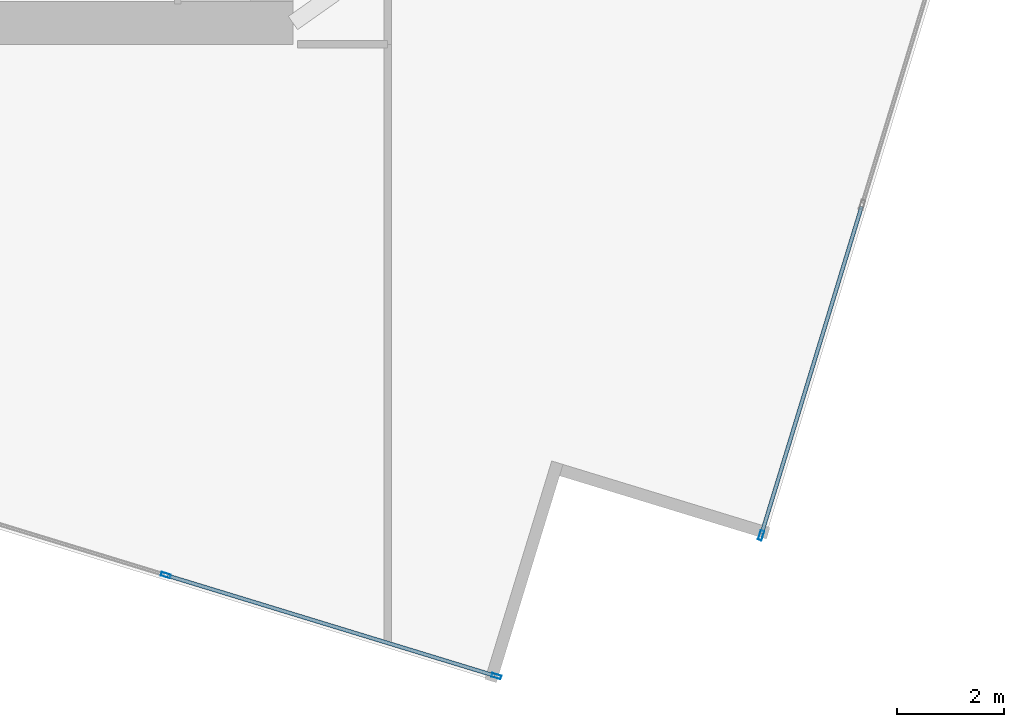
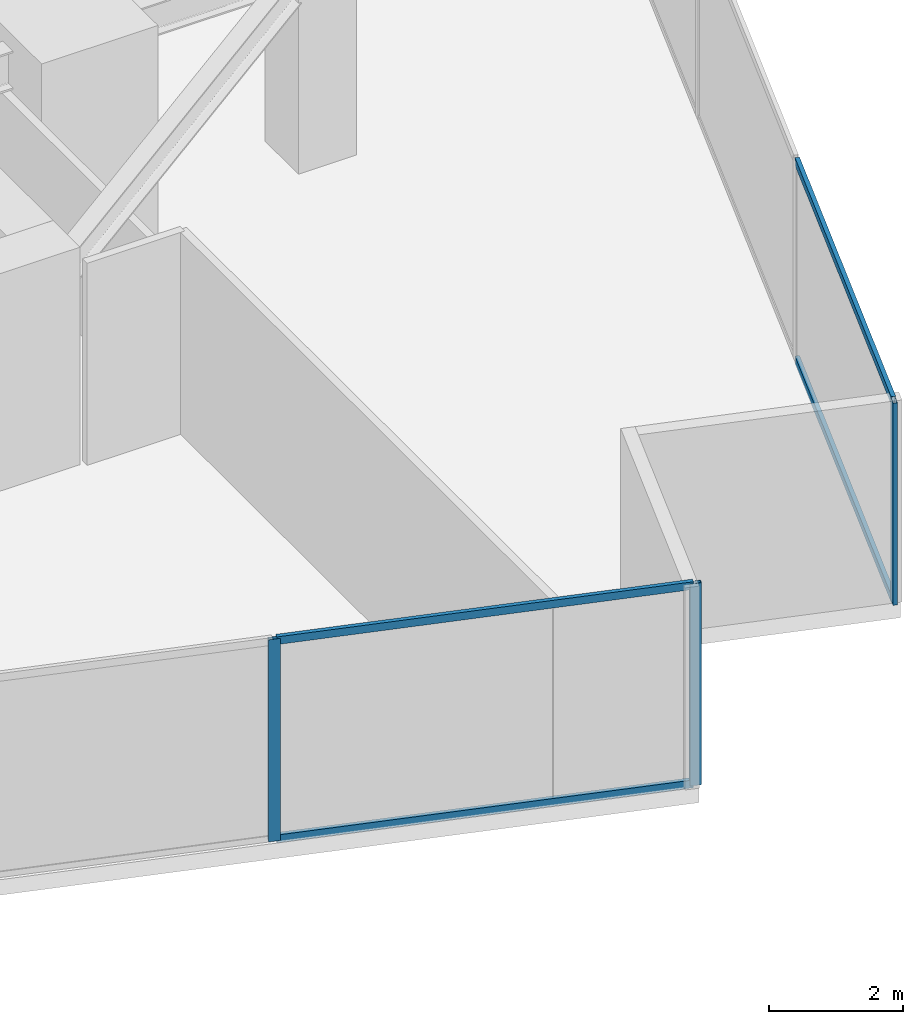
# One storey, part 9 of 26: 7 members, 2 elements without a shape of their own.
"""IFC4 building model written with IfcOpenShell, lengths in metres."""

from ifc_helpers import new_model, si_unit, direction, frame, origin, origin_2d, place, context, subcontext, project, spatial, hollow_rectangle, extrude, source, transform, mapped, material, material_profile, profile_set, type_object, type_shapes, element, aggregate, save


model = new_model("IFC4")

# Units and contexts
model_context = context("Model", 3, precision=1e-05, world=origin(), true_north=direction((0.0, 1.0)))
body_context = subcontext(model_context, "Body", "Model", "MODEL_VIEW")
ifc_project = project(units=[si_unit("LENGTHUNIT", "METRE"), si_unit("AREAUNIT", "SQUARE_METRE"), si_unit("VOLUMEUNIT", "CUBIC_METRE"), si_unit("PLANEANGLEUNIT", "RADIAN"), si_unit("MASSUNIT", "GRAM", prefix="KILO")], contexts=[model_context])

# Site, building, storey
site_placement = place(None, origin())
site = spatial("IfcSite", under=ifc_project, at=site_placement, CompositionType="ELEMENT")
building_placement = place(site_placement, origin())
building = spatial("IfcBuilding", under=site, at=building_placement, Name="Krantzveldt Concourse Tower", CompositionType="ELEMENT")
storey_placement = place(building_placement, frame((0.0, 0.0, 109.800048828125)))
storey = spatial("IfcBuildingStorey", under=building, at=storey_placement, Name="L26", CompositionType="ELEMENT", Elevation=109.800048828125)

# Curtain wall, members
ifc_material = material(Name="Anodised aluminium 6063-T6", Category="aluminium")
curtain_wall_type = type_object("IfcCurtainWallType", Name="CW2", PredefinedType="USERDEFINED", material=ifc_material)
curtain_wall_1_placement = place(storey_placement, origin())
curtain_wall_1 = element("IfcCurtainWall", 1, at=curtain_wall_1_placement, inside=storey, type_object=curtain_wall_type, Name="CW-L26-F04", ObjectType="UNITISED CURTAIN WALL", PredefinedType="USERDEFINED")
ifc_material_profile_1 = material_profile(ifc_material, hollow_rectangle(XDim=0.070068359375, YDim=0.179931640625, WallThickness=0.0048828125, at=origin_2d()), Name="Anodised aluminium 6063-T6", Category="aluminium")
ifc_profile_set_1 = profile_set([ifc_material_profile_1], Name="Anodised aluminium 6063-T6 - ALU-MULL 180x70x5")
member_type_1 = type_object("IfcMemberType", Name="CW-MUL-180", PredefinedType="MULLION", material=ifc_profile_set_1)
shared_shape_1 = source(origin(), body_context, "Body", "SweptSolid", [
    extrude(hollow_rectangle(XDim=0.070068359375, YDim=0.179931640625, WallThickness=0.0048828125, at=origin_2d()), origin(), (0.0, 0.0, 1.0), 3.669921875),
])
type_shapes(member_type_1, [shared_shape_1])
member_1_placement = place(storey_placement, frame((41.552978515625, 0.627197265625, 0.0), z_axis=(0.0, 0.0, 1.0), x_axis=(0.292371686864, 0.956304761423, 0.0)))
member_1 = element("IfcMember", 2, at=member_1_placement, type_object=member_type_1, Name="CW-Z12 mullion 6", PredefinedType="MULLION", context=body_context, shape_type="MappedRepresentation", body=[
    mapped(shared_shape_1, transform((0.0, 0.0, 0.0), x_axis=(1.0, 0.0, 0.0), y_axis=(0.0, 1.0, 0.0), z_axis=(0.0, 0.0, 1.0), scale=1.0)),
])
member_2_placement = place(storey_placement, frame((47.70361328125, -1.253173828125, 0.0), z_axis=(0.0, 0.0, 1.0), x_axis=(0.292371686864, 0.956304761423, 0.0)))
member_2 = element("IfcMember", 3, at=member_2_placement, type_object=member_type_1, Name="CW-Z12 mullion 7", PredefinedType="MULLION", context=body_context, shape_type="MappedRepresentation", body=[
    mapped(shared_shape_1, transform((0.0, 0.0, 0.0), x_axis=(1.0, 0.0, 0.0), y_axis=(0.0, 1.0, 0.0), z_axis=(0.0, 0.0, 1.0), scale=1.0)),
])

# Curtain wall, member
curtain_wall_2_placement = place(storey_placement, origin())
curtain_wall_2 = element("IfcCurtainWall", 4, at=curtain_wall_2_placement, inside=storey, type_object=curtain_wall_type, Name="CW-L26-F07", ObjectType="UNITISED CURTAIN WALL", PredefinedType="USERDEFINED")
member_3_placement = place(storey_placement, frame((52.629638671875, 1.365966796875, 0.0), z_axis=(0.0, 0.0, 1.0), x_axis=(-0.956304761423, 0.292371686864, 0.0)))
member_3 = element("IfcMember", 5, at=member_3_placement, type_object=member_type_1, Name="CW-Z12 mullion 1", PredefinedType="MULLION", context=body_context, shape_type="MappedRepresentation", body=[
    mapped(shared_shape_1, transform((0.0, 0.0, 0.0), x_axis=(1.0, 0.0, 0.0), y_axis=(0.0, 1.0, 0.0), z_axis=(0.0, 0.0, 1.0), scale=1.0)),
])

# Member
ifc_material_profile_2 = material_profile(ifc_material, hollow_rectangle(XDim=0.070068359375, YDim=0.139892578125, WallThickness=0.0048828125, at=origin_2d()), Name="Anodised aluminium 6063-T6", Category="aluminium")
ifc_profile_set_2 = profile_set([ifc_material_profile_2], Name="Anodised aluminium 6063-T6 - ALU-TRAN 140x70x5")
member_type_2 = type_object("IfcMemberType", Name="CW-TRN-150", PredefinedType="USERDEFINED", material=ifc_profile_set_2)
shared_shape_2 = source(origin(), body_context, "Body", "SweptSolid", [
    extrude(hollow_rectangle(XDim=0.070068359375, YDim=0.139892578125, WallThickness=0.0048828125, at=origin_2d()), origin(), (0.0, 0.0, 1.0), 6.361572265625),
])
member_4_placement = place(storey_placement, frame((41.58642578125, 0.616943359375, 0.034912109375), z_axis=(0.956310151395, -0.292354056476, 0.0), x_axis=(0.292354056476, 0.956310151395, 0.0)))
member_4 = element("IfcMember", 6, at=member_4_placement, type_object=member_type_2, Name="CW-Z12 transom 6.1", ObjectType="TRANSOM", PredefinedType="USERDEFINED", context=body_context, shape_type="MappedRepresentation", body=[
    mapped(shared_shape_2, transform((0.0, 0.0, 0.0), x_axis=(1.0, 0.0, 0.0), y_axis=(0.0, 1.0, 0.0), z_axis=(0.0, 0.0, 1.0), scale=1.0)),
])

member_5_placement = place(storey_placement, frame((41.58642578125, 0.616943359375, 3.635009765625), z_axis=(0.956310151395, -0.292354056476, 0.0), x_axis=(0.292354056476, 0.956310151395, 0.0)))
member_5 = element("IfcMember", 7, at=member_5_placement, type_object=member_type_2, Name="CW-Z12 transom 6.2", ObjectType="TRANSOM", PredefinedType="USERDEFINED", context=body_context, shape_type="MappedRepresentation", body=[
    mapped(shared_shape_2, transform((0.0, 0.0, 0.0), x_axis=(1.0, 0.0, 0.0), y_axis=(0.0, 1.0, 0.0), z_axis=(0.0, 0.0, 1.0), scale=1.0)),
])

aggregate(curtain_wall_1, [member_1, member_2, member_4, member_5])

shared_shape_3 = source(origin(), body_context, "Body", "SweptSolid", [
    extrude(hollow_rectangle(XDim=0.070068359375, YDim=0.139892578125, WallThickness=0.0048828125, at=origin_2d()), origin(), (0.0, 0.0, 1.0), 6.36181640625),
])
type_shapes(member_type_2, [shared_shape_2, shared_shape_3])
member_6_placement = place(storey_placement, frame((52.639892578125, 1.3994140625, 0.034912109375), z_axis=(0.292389152537, 0.956299421457, 0.0), x_axis=(-0.956299421457, 0.292389152537, 0.0)))
member_6 = element("IfcMember", 8, at=member_6_placement, type_object=member_type_2, Name="CW-Z12 transom 1.1", ObjectType="TRANSOM", PredefinedType="USERDEFINED", context=body_context, shape_type="MappedRepresentation", body=[
    mapped(shared_shape_3, transform((0.0, 0.0, 0.0), x_axis=(1.0, 0.0, 0.0), y_axis=(0.0, 1.0, 0.0), z_axis=(0.0, 0.0, 1.0), scale=1.0)),
])

member_7_placement = place(storey_placement, frame((52.639892578125, 1.3994140625, 3.635009765625), z_axis=(0.292389152537, 0.956299421457, 0.0), x_axis=(-0.956299421457, 0.292389152537, 0.0)))
member_7 = element("IfcMember", 9, at=member_7_placement, type_object=member_type_2, Name="CW-Z12 transom 1.2", ObjectType="TRANSOM", PredefinedType="USERDEFINED", context=body_context, shape_type="MappedRepresentation", body=[
    mapped(shared_shape_3, transform((0.0, 0.0, 0.0), x_axis=(1.0, 0.0, 0.0), y_axis=(0.0, 1.0, 0.0), z_axis=(0.0, 0.0, 1.0), scale=1.0)),
])

aggregate(curtain_wall_2, [member_3, member_6, member_7])

save(model, "model.ifc")
